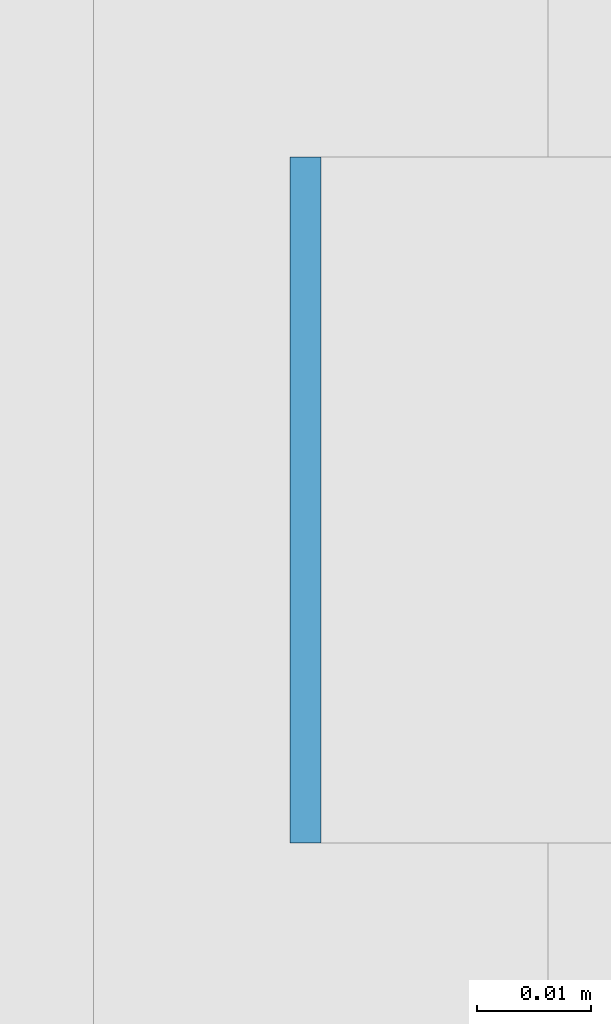
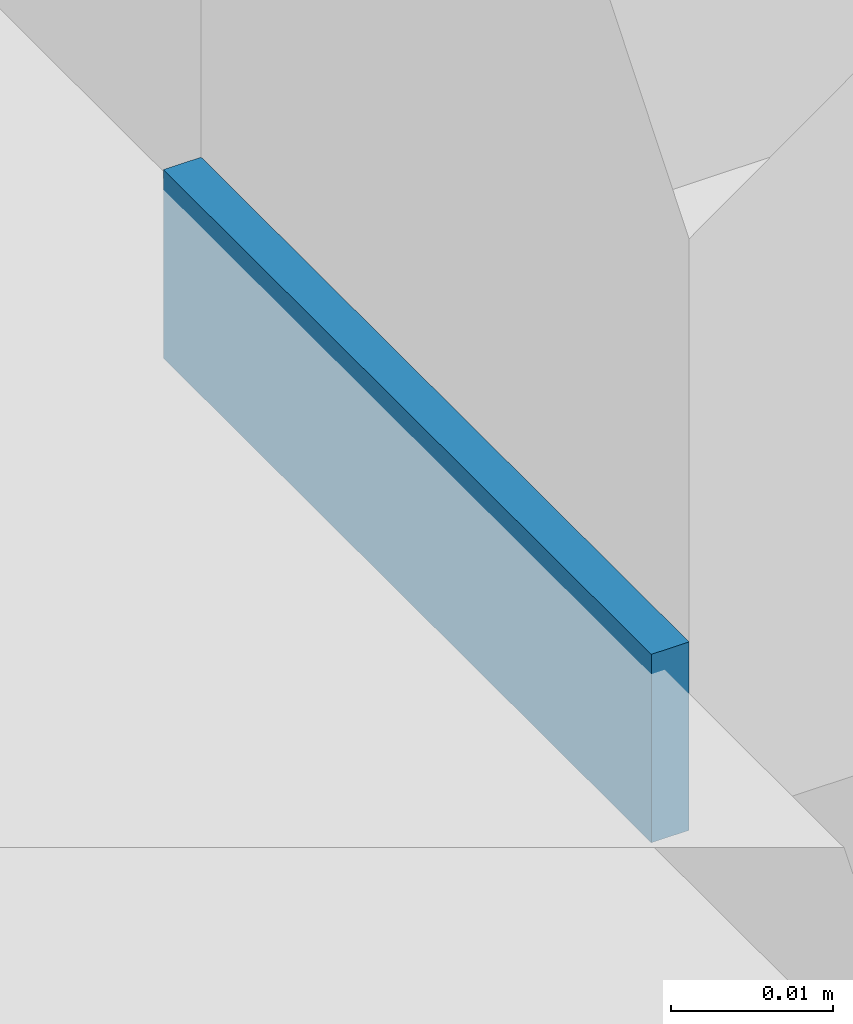
# One storey, part 554 of 646: 1 discrete accessory.
"""IFC4 building model written with IfcOpenShell, lengths in metres."""

from ifc_helpers import new_model, si_unit, direction, frame, origin, origin_2d, place, context, subcontext, project, spatial, rectangle, extrude, material, type_object, element, save


model = new_model("IFC4")

# Units and contexts
model_context = context("Model", 3, precision=1e-05, world=origin(), true_north=direction((0.0, 1.0)))
body_context = subcontext(model_context, "Body", "Model", "MODEL_VIEW")
ifc_project = project(units=[si_unit("LENGTHUNIT", "METRE"), si_unit("AREAUNIT", "SQUARE_METRE"), si_unit("VOLUMEUNIT", "CUBIC_METRE"), si_unit("PLANEANGLEUNIT", "RADIAN"), si_unit("MASSUNIT", "GRAM", prefix="KILO")], contexts=[model_context])

# Site, building, storey
site_placement = place(None, origin())
site = spatial("IfcSite", under=ifc_project, at=site_placement, CompositionType="ELEMENT")
building_placement = place(site_placement, origin())
building = spatial("IfcBuilding", under=site, at=building_placement, Name="Silverbay Arena", CompositionType="ELEMENT")
storey_placement = place(building_placement, frame((0.0, 0.0, 33.5)))
storey = spatial("IfcBuildingStorey", under=building, at=storey_placement, Name="L05", CompositionType="ELEMENT", Elevation=33.5)

# Discrete accessory
ifc_material = material(Name="Steel S355", Category="steel")
discrete_accessory_type = type_object("IfcDiscreteAccessoryType", Name="Steel bracket plate", PredefinedType="BRACKET", material=ifc_material)
discrete_accessory_placement = place(storey_placement, frame((207.128662109375, 97.71435546875, 4.0), z_axis=(0.0, 0.0, 1.0), x_axis=(1.0, 0.0, 0.0)))
element("IfcDiscreteAccessory", 1, at=discrete_accessory_placement, inside=storey, type_object=discrete_accessory_type, Name="Curtain wall packing plate", PredefinedType="BRACKET", context=body_context, shape_type="SweptSolid", body=[
    extrude(rectangle(XDim=0.002685546875, YDim=0.06005859375, at=origin_2d()), origin(), (0.0, 0.0, 1.0), 0.01416015625),
])

save(model, "model.ifc")
